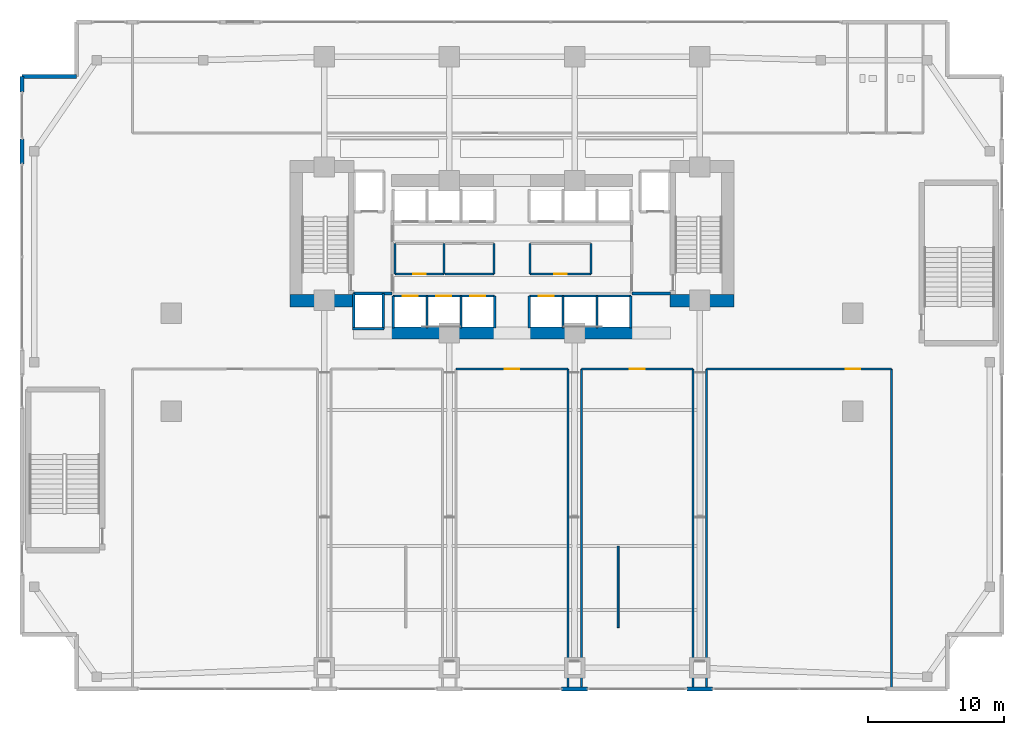
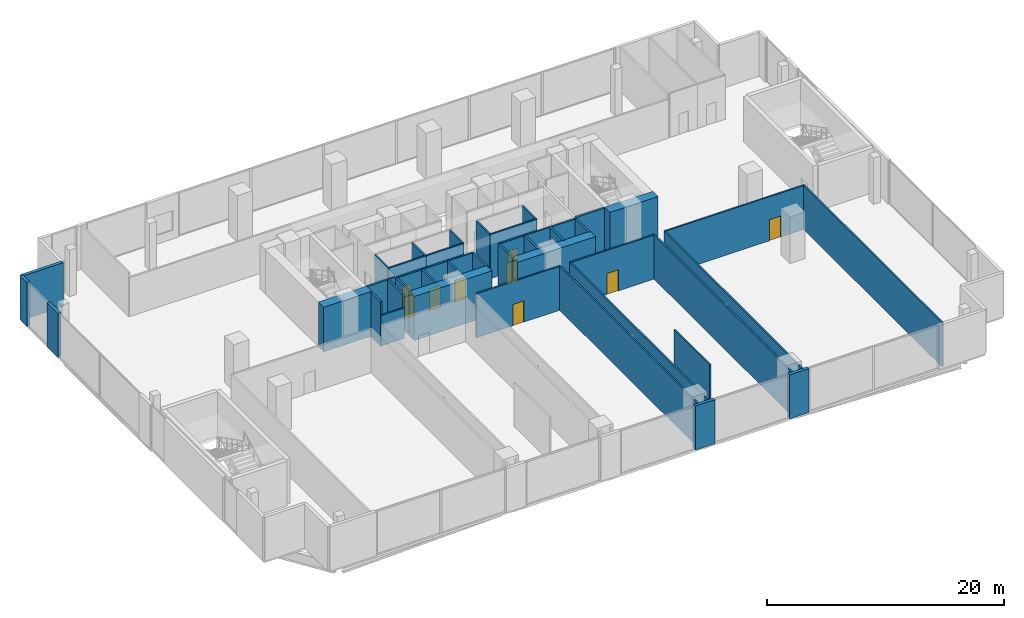
# One storey, part 26 of 33: 45 walls, 9 doors, 9 openings.
"""IFC4 building model written with IfcOpenShell, lengths in metres."""

from ifc_helpers import new_model, si_unit, direction, frame, frame_2d, origin, place, context, subcontext, project, spatial, rectangle, extrude, material, layer, layer_set, type_object, element, fill, save


model = new_model("IFC4")

# Units and contexts
model_context = context("Model", 3, precision=1e-05, world=origin(), true_north=direction((0.0, 1.0)))
body_context = subcontext(model_context, "Body", "Model", "MODEL_VIEW")
ifc_project = project(units=[si_unit("LENGTHUNIT", "METRE"), si_unit("AREAUNIT", "SQUARE_METRE"), si_unit("VOLUMEUNIT", "CUBIC_METRE"), si_unit("PLANEANGLEUNIT", "RADIAN"), si_unit("MASSUNIT", "GRAM", prefix="KILO")], contexts=[model_context])

# Site, building, storey
site_placement = place(None, origin())
site = spatial("IfcSite", under=ifc_project, at=site_placement, CompositionType="ELEMENT")
building_placement = place(site_placement, origin())
building = spatial("IfcBuilding", under=site, at=building_placement, Name="Zuhayl Quay Hotel", CompositionType="ELEMENT")
storey_placement = place(building_placement, frame((0.0, 0.0, 18.0)))
storey = spatial("IfcBuildingStorey", under=building, at=storey_placement, Name="L03", CompositionType="ELEMENT", Elevation=18.0)

# Walls
ifc_material_1 = material(Name="Concrete C70/85", Category="concrete")
ifc_layer_1 = layer(ifc_material_1, 0.89990234375, Name="Concrete C70/85", Category="concrete")
ifc_layer_set_1 = layer_set([ifc_layer_1], Name="Concrete C70/85")
wall_type_1 = type_object("IfcWallType", Name="WL_CORE_900", PredefinedType="SHEAR", material=ifc_layer_set_1)
for number, where, z_axis, x_axis, name in (
    (1, (-16.31005859375, 4.52001953125, 0.0), (0.0, 0.0, 1.0), (1.0, 0.0, 0.0), "L03 Core Shear Wall CW_SW"),
    (2, (11.60009765625, 4.52001953125, 0.0), (0.0, 0.0, 1.0), (1.0, 0.0, 0.0), "L03 Core Shear Wall CW_SE"),
):
    element("IfcWall", number, at=place(storey_placement, frame(where, z_axis=z_axis, x_axis=x_axis)), inside=storey, type_object=wall_type_1, Name=name, PredefinedType="SHEAR", context=body_context, shape_type="SweptSolid", body=[
        extrude(rectangle(XDim=4.7099609375, YDim=0.89990234375, at=frame_2d((2.35498046875, 0.0))), origin(), (0.0, 0.0, 1.0), 4.610107421875),
    ])
for number, where, z_axis, x_axis, name in (
    (3, (-8.85009765625, 2.14990234375, 0.0), (0.0, 0.0, 1.0), (1.0, 0.0, 0.0), "L03 Core Shear Wall CW_SC_W"),
    (4, (1.25, 2.14990234375, 0.0), (0.0, 0.0, 1.0), (1.0, 0.0, 0.0), "L03 Core Shear Wall CW_SC_E"),
):
    element("IfcWall", number, at=place(storey_placement, frame(where, z_axis=z_axis, x_axis=x_axis)), inside=storey, type_object=wall_type_1, Name=name, PredefinedType="SHEAR", context=body_context, shape_type="SweptSolid", body=[
        extrude(rectangle(XDim=7.60009765625, YDim=0.89990234375, at=frame_2d((3.800048828125, 0.0))), origin(), (0.0, 0.0, 1.0), 4.5400390625),
    ])
ifc_material_2 = material(Name="Precast concrete C45/55", Category="concrete")
ifc_layer_2 = layer(ifc_material_2, 0.300048828125, Name="Precast concrete C45/55", Category="concrete")
ifc_layer_set_2 = layer_set([ifc_layer_2], Name="Precast concrete C45/55")
wall_type_2 = type_object("IfcWallType", Name="WL_EXT_300", PredefinedType="STANDARD", material=ifc_layer_set_2)
wall_1_placement = place(storey_placement, frame((-36.0, 14.580078125, 0.0), z_axis=(0.0, 0.0, 1.0), x_axis=(0.0, 1.0, 0.0)))
element("IfcWall", 5, at=wall_1_placement, inside=storey, type_object=wall_type_2, Name="L03 Exterior Precast Wall ENV_L03_E02_EW4", PredefinedType="STANDARD", context=body_context, shape_type="SweptSolid", body=[
    extrude(rectangle(XDim=1.83984375, YDim=0.300048828125, at=frame_2d((0.919921875, 0.0))), origin(), (0.0, 0.0, 1.0), 4.5400390625),
])
wall_2_placement = place(storey_placement, frame((-36.0, 19.85009765625, 0.0), z_axis=(0.0, 0.0, 1.0), x_axis=(0.0, 1.0, 0.0)))
element("IfcWall", 6, at=wall_2_placement, inside=storey, type_object=wall_type_2, Name="L03 Exterior Precast Wall ENV_L03_E02_EW5", PredefinedType="STANDARD", context=body_context, shape_type="SweptSolid", body=[
    extrude(rectangle(XDim=1.14990234375, YDim=0.300048828125, at=frame_2d((0.574951171875, 0.0))), origin(), (0.0, 0.0, 1.0), 4.5400390625),
])
wall_3_placement = place(storey_placement, frame((-36.0, 21.0, 0.0), z_axis=(0.0, 0.0, 1.0), x_axis=(1.0, 0.0, 0.0)))
element("IfcWall", 7, at=wall_3_placement, inside=storey, type_object=wall_type_2, Name="L03 Exterior Precast Wall ENV_L03_EW03", PredefinedType="STANDARD", context=body_context, shape_type="SweptSolid", body=[
    extrude(rectangle(XDim=4.0, YDim=0.300048828125, at=frame_2d((2.0, 0.0))), origin(), (0.0, 0.0, 1.0), 4.5400390625),
])
wall_4_placement = place(storey_placement, frame((14.75, -24.0, 0.0), z_axis=(0.0, 0.0, 1.0), x_axis=(-1.0, 0.0, 0.0)))
element("IfcWall", 8, at=wall_4_placement, inside=storey, type_object=wall_type_2, Name="L03 Exterior Precast Wall ENV_L03_E11_EW2", PredefinedType="STANDARD", context=body_context, shape_type="SweptSolid", body=[
    extrude(rectangle(XDim=1.89990234375, YDim=0.300048828125, at=frame_2d((0.949951171875, 0.0))), origin(), (0.0, 0.0, 1.0), 4.5400390625),
])
wall_5_placement = place(storey_placement, frame((5.550048828125, -24.0, 0.0), z_axis=(0.0, 0.0, 1.0), x_axis=(-1.0, 0.0, 0.0)))
element("IfcWall", 9, at=wall_5_placement, inside=storey, type_object=wall_type_2, Name="L03 Exterior Precast Wall ENV_L03_E11_EW3", PredefinedType="STANDARD", context=body_context, shape_type="SweptSolid", body=[
    extrude(rectangle(XDim=1.900146484375, YDim=0.300048828125, at=frame_2d((0.9501953125, 0.0))), origin(), (0.0, 0.0, 1.0), 4.5400390625),
])
ifc_material_3 = material(Name="Acoustic Timber Operable Panel STC-54", Category="wood")
ifc_layer_3 = layer(ifc_material_3, 0.139892578125, Name="Acoustic Timber Operable Panel STC-54", Category="wood")
ifc_layer_set_3 = layer_set([ifc_layer_3], Name="Acoustic Timber Operable Panel STC-54")
wall_type_3 = type_object("IfcWallType", Name="WL_MOVABLE_140", PredefinedType="MOVABLE", material=ifc_layer_set_3)
wall_6_placement = place(storey_placement, frame((7.800048828125, -19.5, 0.0), z_axis=(0.0, 0.0, 1.0), x_axis=(0.0, 1.0, 0.0)))
element("IfcWall", 10, at=wall_6_placement, inside=storey, type_object=wall_type_3, Name="L03 Operable Acoustic Banquet Partition MW1-2", PredefinedType="MOVABLE", context=body_context, shape_type="SweptSolid", body=[
    extrude(rectangle(XDim=6.0, YDim=0.139892578125, at=frame_2d((3.0, 0.0))), origin(), (0.0, 0.0, 1.0), 4.5400390625),
])

# Wall, opening, door
ifc_material_4 = material(Name="Acoustic Gypsum Partition STC-58")
ifc_layer_4 = layer(ifc_material_4, 0.14990234375, Name="Acoustic Gypsum Partition STC-58")
ifc_layer_set_4 = layer_set([ifc_layer_4], Name="Acoustic Gypsum Partition STC-58")
wall_type_4 = type_object("IfcWallType", Name="WL_PART_150", PredefinedType="PARTITIONING", material=ifc_layer_set_4)
wall_7_placement = place(storey_placement, frame((-8.610107421875, 6.47998046875, 0.0), z_axis=(0.0, 0.0, 1.0), x_axis=(1.0, 0.0, 0.0)))
wall_7 = element("IfcWall", 11, at=wall_7_placement, inside=storey, type_object=wall_type_4, Name="L03 Partition IW_L03_CORE_SW_S", PredefinedType="PARTITIONING", context=body_context, shape_type="SweptSolid", body=[
    extrude(rectangle(XDim=3.6201171875, YDim=0.14990234375, at=frame_2d((1.81005859375, 0.0))), origin(), (0.0, 0.0, 1.0), 4.5400390625),
])
opening_1_placement = place(wall_7_placement, frame((1.360107421875, 0.0, 0.0)))
opening_1 = element("IfcOpeningElement", 12, at=opening_1_placement, cuts=wall_7, Name="Opening D06", PredefinedType="OPENING", context=body_context, shape_type="SweptSolid", body=[
    extrude(rectangle(XDim=0.89990234375, YDim=2.14990234375, at=frame_2d((0.449951171875, 1.074951171875))), frame((0.0, 0.0849609375, 0.0), z_axis=(0.0, -1.0, 0.0), x_axis=(1.0, 0.0, 0.0)), (0.0, 0.0, 1.0), 0.169921875),
])
ifc_material_5 = material(Name="Steel ASTM A992 Grade 50", Category="steel")
door_type_1 = type_object("IfcDoorType", Name="DR_INT_900", OperationType="NOTDEFINED", PredefinedType="DOOR", material=ifc_material_5)
door_1_placement = place(opening_1_placement, origin())
door_1 = element("IfcDoor", 13, at=door_1_placement, inside=storey, type_object=door_type_1, Name="L03 Floor Switchgear Closet Door", OperationType="SINGLE_SWING_RIGHT", OverallHeight=2.14990234375, OverallWidth=0.89990234375, PredefinedType="DOOR", context=body_context, shape_type="SweptSolid", body=[
    extrude(rectangle(XDim=0.89990234375, YDim=2.14990234375, at=frame_2d((0.449951171875, 1.074951171875))), frame((0.0, 0.02490234375, 0.0), z_axis=(0.0, -1.0, 0.0), x_axis=(1.0, 0.0, 0.0)), (0.0, 0.0, 1.0), 0.050048828125),
])
fill(opening_1, door_1)

wall_8_placement = place(storey_placement, frame((1.320068359375, 6.47998046875, 0.0), z_axis=(0.0, 0.0, 1.0), x_axis=(1.0, 0.0, 0.0)))
wall_8 = element("IfcWall", 14, at=wall_8_placement, inside=storey, type_object=wall_type_4, Name="L03 Partition IW_L03_CORE_PN_S", PredefinedType="PARTITIONING", context=body_context, shape_type="SweptSolid", body=[
    extrude(rectangle(XDim=4.489990234375, YDim=0.14990234375, at=frame_2d((2.2451171875, 0.0))), origin(), (0.0, 0.0, 1.0), 4.5400390625),
])
opening_2_placement = place(wall_8_placement, frame((1.794921875, 0.0, 0.0)))
opening_2 = element("IfcOpeningElement", 15, at=opening_2_placement, cuts=wall_8, Name="Opening D06", PredefinedType="OPENING", context=body_context, shape_type="SweptSolid", body=[
    extrude(rectangle(XDim=0.89990234375, YDim=2.14990234375, at=frame_2d((0.449951171875, 1.074951171875))), frame((0.0, 0.0849609375, 0.0), z_axis=(0.0, -1.0, 0.0), x_axis=(1.0, 0.0, 0.0)), (0.0, 0.0, 1.0), 0.169921875),
])
door_2_placement = place(opening_2_placement, origin())
door_2 = element("IfcDoor", 16, at=door_2_placement, inside=storey, type_object=door_type_1, Name="L03 Core Ice and Pantry Room Door", OperationType="SINGLE_SWING_RIGHT", OverallHeight=2.14990234375, OverallWidth=0.89990234375, PredefinedType="DOOR", context=body_context, shape_type="SweptSolid", body=[
    extrude(rectangle(XDim=0.89990234375, YDim=2.14990234375, at=frame_2d((0.449951171875, 1.074951171875))), frame((0.0, 0.02490234375, 0.0), z_axis=(0.0, -1.0, 0.0), x_axis=(1.0, 0.0, 0.0)), (0.0, 0.0, 1.0), 0.050048828125),
])
fill(opening_2, door_2)

# Walls
for number, where, z_axis, x_axis, name in (
    (17, (-8.610107421875, 6.47998046875, 0.0), (0.0, 0.0, 1.0), (0.0, 1.0, 0.0), "L03 Partition IW_L03_CORE_SW_W"),
    (18, (-4.989990234375, 6.47998046875, 0.0), (0.0, 0.0, 1.0), (0.0, 1.0, 0.0), "L03 Partition IW_L03_CORE_SW_E"),
):
    element("IfcWall", number, at=place(storey_placement, frame(where, z_axis=z_axis, x_axis=x_axis)), inside=storey, type_object=wall_type_4, Name=name, PredefinedType="PARTITIONING", context=body_context, shape_type="SweptSolid", body=[
        extrude(rectangle(XDim=2.239990234375, YDim=0.14990234375, at=frame_2d((1.1201171875, 0.0))), origin(), (0.0, 0.0, 1.0), 4.5400390625),
    ])
wall_9_placement = place(storey_placement, frame((-4.929931640625, 6.47998046875, 0.0), z_axis=(0.0, 0.0, 1.0), x_axis=(1.0, 0.0, 0.0)))
element("IfcWall", 19, at=wall_9_placement, inside=storey, type_object=wall_type_4, Name="L03 Partition IW_L03_CORE_BM_S", PredefinedType="PARTITIONING", context=body_context, shape_type="SweptSolid", body=[
    extrude(rectangle(XDim=3.60986328125, YDim=0.14990234375, at=frame_2d((1.804931640625, 0.0))), origin(), (0.0, 0.0, 1.0), 4.5400390625),
])
for number, where, z_axis, x_axis, name in (
    (20, (-1.320068359375, 6.47998046875, 0.0), (0.0, 0.0, 1.0), (0.0, 1.0, 0.0), "L03 Partition IW_L03_CORE_BM_E"),
    (21, (1.320068359375, 6.47998046875, 0.0), (0.0, 0.0, 1.0), (0.0, 1.0, 0.0), "L03 Partition IW_L03_CORE_PN_W"),
    (22, (5.81005859375, 6.47998046875, 0.0), (0.0, 0.0, 1.0), (0.0, 1.0, 0.0), "L03 Partition IW_L03_CORE_PN_E"),
):
    element("IfcWall", number, at=place(storey_placement, frame(where, z_axis=z_axis, x_axis=x_axis)), inside=storey, type_object=wall_type_4, Name=name, PredefinedType="PARTITIONING", context=body_context, shape_type="SweptSolid", body=[
        extrude(rectangle(XDim=2.239990234375, YDim=0.14990234375, at=frame_2d((1.1201171875, 0.0))), origin(), (0.0, 0.0, 1.0), 4.5400390625),
    ])
for number, where, z_axis, x_axis, name in (
    (23, (4.10009765625, -23.93994140625, 0.0), (0.0, 0.0, 1.0), (0.0, 1.0, 0.0), "L03 Partition IW_L03_BOARD_1_E"),
    (24, (5.10009765625, -23.93994140625, 0.0), (0.0, 0.0, 1.0), (0.0, 1.0, 0.0), "L03 Partition IW_L03_BOARD_2_W"),
    (25, (13.300048828125, -23.93994140625, 0.0), (0.0, 0.0, 1.0), (0.0, 1.0, 0.0), "L03 Partition IW_L03_BOARD_2_E"),
    (26, (14.300048828125, -23.93994140625, 0.0), (0.0, 0.0, 1.0), (0.0, 1.0, 0.0), "L03 Partition IW_L03_BUS_CTR_W"),
    (27, (27.89990234375, -23.93994140625, 0.0), (0.0, 0.0, 1.0), (0.0, 1.0, 0.0), "L03 Partition IW_L03_BUS_CTR_E"),
):
    element("IfcWall", number, at=place(storey_placement, frame(where, z_axis=z_axis, x_axis=x_axis)), inside=storey, type_object=wall_type_4, Name=name, PredefinedType="PARTITIONING", context=body_context, shape_type="SweptSolid", body=[
        extrude(rectangle(XDim=23.43994140625, YDim=0.14990234375, at=frame_2d((11.719970703125, 0.0))), origin(), (0.0, 0.0, 1.0), 4.5400390625),
    ])

# Wall, opening, door
ifc_layer_5 = layer(ifc_material_4, 0.159912109375, Name="Acoustic Gypsum Partition STC-58")
ifc_layer_set_5 = layer_set([ifc_layer_5], Name="Acoustic Gypsum Partition STC-58")
wall_type_5 = type_object("IfcWallType", Name="WL_PART_CORR_160", PredefinedType="PARTITIONING", material=ifc_layer_set_5)
wall_10_placement = place(storey_placement, frame((-4.10009765625, -0.5, 0.0), z_axis=(0.0, 0.0, 1.0), x_axis=(1.0, 0.0, 0.0)))
wall_10 = element("IfcWall", 28, at=wall_10_placement, inside=storey, type_object=wall_type_5, Name="L03 Partition IW_L03_BOARD_1_N", PredefinedType="PARTITIONING", context=body_context, shape_type="SweptSolid", body=[
    extrude(rectangle(XDim=8.2001953125, YDim=0.159912109375, at=frame_2d((4.10009765625, 0.0))), origin(), (0.0, 0.0, 1.0), 4.5400390625),
])
opening_3_placement = place(wall_10_placement, frame((3.56005859375, 0.0, 0.0)))
opening_3 = element("IfcOpeningElement", 29, at=opening_3_placement, cuts=wall_10, Name="Opening D05A", PredefinedType="OPENING", context=body_context, shape_type="SweptSolid", body=[
    extrude(rectangle(XDim=1.080078125, YDim=2.179931640625, at=frame_2d((0.5400390625, 1.08984375))), frame((0.0, 0.08984375, 0.0), z_axis=(0.0, -1.0, 0.0), x_axis=(1.0, 0.0, 0.0)), (0.0, 0.0, 1.0), 0.179931640625),
])
ifc_material_6 = material(Name="Solid Walnut Acoustic Fire Door")
door_type_2 = type_object("IfcDoorType", Name="DR_INT_1100", OperationType="NOTDEFINED", PredefinedType="DOOR", material=ifc_material_6)
door_3_placement = place(opening_3_placement, origin())
door_3 = element("IfcDoor", 30, at=door_3_placement, inside=storey, type_object=door_type_2, Name="L03 Executive Conference Room Door", OperationType="SINGLE_SWING_LEFT", OverallHeight=2.179931640625, OverallWidth=1.080078125, PredefinedType="DOOR", context=body_context, shape_type="SweptSolid", body=[
    extrude(rectangle(XDim=1.080078125, YDim=2.179931640625, at=frame_2d((0.5400390625, 1.08984375))), frame((0.0, 0.02490234375, 0.0), z_axis=(0.0, -1.0, 0.0), x_axis=(1.0, 0.0, 0.0)), (0.0, 0.0, 1.0), 0.050048828125),
])
fill(opening_3, door_3)

wall_11_placement = place(storey_placement, frame((5.10009765625, -0.5, 0.0), z_axis=(0.0, 0.0, 1.0), x_axis=(1.0, 0.0, 0.0)))
wall_11 = element("IfcWall", 31, at=wall_11_placement, inside=storey, type_object=wall_type_5, Name="L03 Partition IW_L03_BOARD_2_N", PredefinedType="PARTITIONING", context=body_context, shape_type="SweptSolid", body=[
    extrude(rectangle(XDim=8.199951171875, YDim=0.159912109375, at=frame_2d((4.10009765625, 0.0))), origin(), (0.0, 0.0, 1.0), 4.5400390625),
])
opening_4_placement = place(wall_11_placement, frame((3.56005859375, 0.0, 0.0)))
opening_4 = element("IfcOpeningElement", 32, at=opening_4_placement, cuts=wall_11, Name="Opening D05A", PredefinedType="OPENING", context=body_context, shape_type="SweptSolid", body=[
    extrude(rectangle(XDim=1.080078125, YDim=2.179931640625, at=frame_2d((0.5400390625, 1.08984375))), frame((0.0, 0.08984375, 0.0), z_axis=(0.0, -1.0, 0.0), x_axis=(1.0, 0.0, 0.0)), (0.0, 0.0, 1.0), 0.179931640625),
])
door_4_placement = place(opening_4_placement, origin())
door_4 = element("IfcDoor", 33, at=door_4_placement, inside=storey, type_object=door_type_2, Name="L03 Maritime Trade Meeting Room Door", OperationType="SINGLE_SWING_RIGHT", OverallHeight=2.179931640625, OverallWidth=1.080078125, PredefinedType="DOOR", context=body_context, shape_type="SweptSolid", body=[
    extrude(rectangle(XDim=1.080078125, YDim=2.179931640625, at=frame_2d((0.5400390625, 1.08984375))), frame((0.0, 0.02490234375, 0.0), z_axis=(0.0, -1.0, 0.0), x_axis=(1.0, 0.0, 0.0)), (0.0, 0.0, 1.0), 0.050048828125),
])
fill(opening_4, door_4)

wall_12_placement = place(storey_placement, frame((14.300048828125, -0.5, 0.0), z_axis=(0.0, 0.0, 1.0), x_axis=(1.0, 0.0, 0.0)))
wall_12 = element("IfcWall", 34, at=wall_12_placement, inside=storey, type_object=wall_type_5, Name="L03 Partition IW_L03_BUS_CTR_N", PredefinedType="PARTITIONING", context=body_context, shape_type="SweptSolid", body=[
    extrude(rectangle(XDim=13.599853515625, YDim=0.159912109375, at=frame_2d((6.7998046875, 0.0))), origin(), (0.0, 0.0, 1.0), 4.5400390625),
])
opening_5_placement = place(wall_12_placement, frame((10.2099609375, 0.0, 0.0)))
opening_5 = element("IfcOpeningElement", 35, at=opening_5_placement, cuts=wall_12, Name="Opening D05A", PredefinedType="OPENING", context=body_context, shape_type="SweptSolid", body=[
    extrude(rectangle(XDim=1.080078125, YDim=2.179931640625, at=frame_2d((0.5400390625, 1.08984375))), frame((0.0, 0.08984375, 0.0), z_axis=(0.0, -1.0, 0.0), x_axis=(1.0, 0.0, 0.0)), (0.0, 0.0, 1.0), 0.179931640625),
])
door_5_placement = place(opening_5_placement, origin())
door_5 = element("IfcDoor", 36, at=door_5_placement, inside=storey, type_object=door_type_2, Name="L03 Executive Business Centre Door", OperationType="SINGLE_SWING_LEFT", OverallHeight=2.179931640625, OverallWidth=1.080078125, PredefinedType="DOOR", context=body_context, shape_type="SweptSolid", body=[
    extrude(rectangle(XDim=1.080078125, YDim=2.179931640625, at=frame_2d((0.5400390625, 1.08984375))), frame((0.0, 0.02490234375, 0.0), z_axis=(0.0, -1.0, 0.0), x_axis=(1.0, 0.0, 0.0)), (0.0, 0.0, 1.0), 0.050048828125),
])
fill(opening_5, door_5)

ifc_material_7 = material(Name="Gypsum Fireboard Assembly EI-90")
ifc_layer_6 = layer(ifc_material_7, 0.1650390625, Name="Gypsum Fireboard Assembly EI-90")
ifc_layer_set_6 = layer_set([ifc_layer_6], Name="Gypsum Fireboard Assembly EI-90")
wall_type_6 = type_object("IfcWallType", Name="WL_PART_SHAFT_160", PredefinedType="PARTITIONING", material=ifc_layer_set_6)
wall_13_placement = place(storey_placement, frame((-8.72998046875, 4.8798828125, 0.0), z_axis=(0.0, 0.0, 1.0), x_axis=(1.0, 0.0, 0.0)))
wall_13 = element("IfcWall", 37, at=wall_13_placement, inside=storey, type_object=wall_type_6, Name="L03 Partition IW_L03_SH_LP1_F", PredefinedType="PARTITIONING", context=body_context, shape_type="SweptSolid", body=[
    extrude(rectangle(XDim=2.47998046875, YDim=0.1650390625, at=frame_2d((1.239990234375, 0.0))), origin(), (0.0, 0.0, 1.0), 4.5400390625),
])
opening_6_placement = place(wall_13_placement, frame((0.68994140625, 0.0, 0.0)))
opening_6 = element("IfcOpeningElement", 38, at=opening_6_placement, cuts=wall_13, Name="Opening LD1", PredefinedType="OPENING", context=body_context, shape_type="SweptSolid", body=[
    extrude(rectangle(XDim=1.10009765625, YDim=2.25, at=frame_2d((0.550048828125, 1.125))), frame((0.0, 0.092529296875, 0.0), z_axis=(0.0, -1.0, 0.0), x_axis=(1.0, 0.0, 0.0)), (0.0, 0.0, 1.0), 0.18505859375),
])
ifc_material_8 = material(Name="Brushed Stainless Steel", Category="steel")
door_type_3 = type_object("IfcDoorType", Name="DR_LIFT_PASS_1100", OperationType="SLIDING_TO_LEFT", PredefinedType="DOOR", material=ifc_material_8)
door_6_placement = place(opening_6_placement, origin())
door_6 = element("IfcDoor", 39, at=door_6_placement, inside=storey, type_object=door_type_3, Name="L03 Lift LP1 Sliding Landing Door", OperationType="SLIDING_TO_LEFT", OverallHeight=2.25, OverallWidth=1.10009765625, PredefinedType="DOOR", context=body_context, shape_type="SweptSolid", body=[
    extrude(rectangle(XDim=1.10009765625, YDim=2.25, at=frame_2d((0.550048828125, 1.125))), frame((0.0, 0.02490234375, 0.0), z_axis=(0.0, -1.0, 0.0), x_axis=(1.0, 0.0, 0.0)), (0.0, 0.0, 1.0), 0.050048828125),
])
fill(opening_6, door_6)

wall_14_placement = place(storey_placement, frame((-6.25, 4.8798828125, 0.0), z_axis=(0.0, 0.0, 1.0), x_axis=(1.0, 0.0, 0.0)))
wall_14 = element("IfcWall", 40, at=wall_14_placement, inside=storey, type_object=wall_type_6, Name="L03 Partition IW_L03_SH_LP2_F", PredefinedType="PARTITIONING", context=body_context, shape_type="SweptSolid", body=[
    extrude(rectangle(XDim=2.5, YDim=0.1650390625, at=frame_2d((1.25, 0.0))), origin(), (0.0, 0.0, 1.0), 4.5400390625),
])
opening_7_placement = place(wall_14_placement, frame((0.699951171875, 0.0, 0.0)))
opening_7 = element("IfcOpeningElement", 41, at=opening_7_placement, cuts=wall_14, Name="Opening LD1", PredefinedType="OPENING", context=body_context, shape_type="SweptSolid", body=[
    extrude(rectangle(XDim=1.10009765625, YDim=2.25, at=frame_2d((0.550048828125, 1.125))), frame((0.0, 0.092529296875, 0.0), z_axis=(0.0, -1.0, 0.0), x_axis=(1.0, 0.0, 0.0)), (0.0, 0.0, 1.0), 0.18505859375),
])
door_7_placement = place(opening_7_placement, origin())
door_7 = element("IfcDoor", 42, at=door_7_placement, inside=storey, type_object=door_type_3, Name="L03 Lift LP2 Sliding Landing Door", OperationType="SLIDING_TO_LEFT", OverallHeight=2.25, OverallWidth=1.10009765625, PredefinedType="DOOR", context=body_context, shape_type="SweptSolid", body=[
    extrude(rectangle(XDim=1.10009765625, YDim=2.25, at=frame_2d((0.550048828125, 1.125))), frame((0.0, 0.02490234375, 0.0), z_axis=(0.0, -1.0, 0.0), x_axis=(1.0, 0.0, 0.0)), (0.0, 0.0, 1.0), 0.050048828125),
])
fill(opening_7, door_7)

wall_15_placement = place(storey_placement, frame((-3.75, 4.8798828125, 0.0), z_axis=(0.0, 0.0, 1.0), x_axis=(1.0, 0.0, 0.0)))
wall_15 = element("IfcWall", 43, at=wall_15_placement, inside=storey, type_object=wall_type_6, Name="L03 Partition IW_L03_SH_MP1_F", PredefinedType="PARTITIONING", context=body_context, shape_type="SweptSolid", body=[
    extrude(rectangle(XDim=2.47998046875, YDim=0.1650390625, at=frame_2d((1.239990234375, 0.0))), origin(), (0.0, 0.0, 1.0), 4.5400390625),
])
opening_8_placement = place(wall_15_placement, frame((0.68994140625, 0.0, 0.0)))
opening_8 = element("IfcOpeningElement", 44, at=opening_8_placement, cuts=wall_15, Name="Opening LD1", PredefinedType="OPENING", context=body_context, shape_type="SweptSolid", body=[
    extrude(rectangle(XDim=1.10009765625, YDim=2.25, at=frame_2d((0.550048828125, 1.125))), frame((0.0, 0.092529296875, 0.0), z_axis=(0.0, -1.0, 0.0), x_axis=(1.0, 0.0, 0.0)), (0.0, 0.0, 1.0), 0.18505859375),
])
door_8_placement = place(opening_8_placement, origin())
door_8 = element("IfcDoor", 45, at=door_8_placement, inside=storey, type_object=door_type_3, Name="L03 Lift MP1 Sliding Landing Door", OperationType="SLIDING_TO_LEFT", OverallHeight=2.25, OverallWidth=1.10009765625, PredefinedType="DOOR", context=body_context, shape_type="SweptSolid", body=[
    extrude(rectangle(XDim=1.10009765625, YDim=2.25, at=frame_2d((0.550048828125, 1.125))), frame((0.0, 0.02490234375, 0.0), z_axis=(0.0, -1.0, 0.0), x_axis=(1.0, 0.0, 0.0)), (0.0, 0.0, 1.0), 0.050048828125),
])
fill(opening_8, door_8)

wall_16_placement = place(storey_placement, frame((1.27001953125, 4.8798828125, 0.0), z_axis=(0.0, 0.0, 1.0), x_axis=(1.0, 0.0, 0.0)))
wall_16 = element("IfcWall", 46, at=wall_16_placement, inside=storey, type_object=wall_type_6, Name="L03 Partition IW_L03_SH_MP2_F", PredefinedType="PARTITIONING", context=body_context, shape_type="SweptSolid", body=[
    extrude(rectangle(XDim=2.47998046875, YDim=0.1650390625, at=frame_2d((1.239990234375, 0.0))), origin(), (0.0, 0.0, 1.0), 4.5400390625),
])
opening_9_placement = place(wall_16_placement, frame((0.68994140625, 0.0, 0.0)))
opening_9 = element("IfcOpeningElement", 47, at=opening_9_placement, cuts=wall_16, Name="Opening LD1", PredefinedType="OPENING", context=body_context, shape_type="SweptSolid", body=[
    extrude(rectangle(XDim=1.10009765625, YDim=2.25, at=frame_2d((0.550048828125, 1.125))), frame((0.0, 0.092529296875, 0.0), z_axis=(0.0, -1.0, 0.0), x_axis=(1.0, 0.0, 0.0)), (0.0, 0.0, 1.0), 0.18505859375),
])
door_9_placement = place(opening_9_placement, origin())
door_9 = element("IfcDoor", 48, at=door_9_placement, inside=storey, type_object=door_type_3, Name="L03 Lift MP2 Sliding Landing Door", OperationType="SLIDING_TO_LEFT", OverallHeight=2.25, OverallWidth=1.10009765625, PredefinedType="DOOR", context=body_context, shape_type="SweptSolid", body=[
    extrude(rectangle(XDim=1.10009765625, YDim=2.25, at=frame_2d((0.550048828125, 1.125))), frame((0.0, 0.02490234375, 0.0), z_axis=(0.0, -1.0, 0.0), x_axis=(1.0, 0.0, 0.0)), (0.0, 0.0, 1.0), 0.050048828125),
])
fill(opening_9, door_9)

# Walls
for number, where, z_axis, x_axis, name in (
    (49, (-8.72998046875, 2.52001953125, 0.0), (0.0, 0.0, 1.0), (0.0, 1.0, 0.0), "L03 Partition IW_L03_SH_LP1_W"),
    (50, (-6.25, 2.52001953125, 0.0), (0.0, 0.0, 1.0), (0.0, 1.0, 0.0), "L03 Partition IW_L03_SH_LP1_E"),
    (51, (-3.75, 2.52001953125, 0.0), (0.0, 0.0, 1.0), (0.0, 1.0, 0.0), "L03 Partition IW_L03_SH_LP2_E"),
    (52, (-1.27001953125, 2.52001953125, 0.0), (0.0, 0.0, 1.0), (0.0, 1.0, 0.0), "L03 Partition IW_L03_SH_MP1_E"),
    (53, (1.27001953125, 2.52001953125, 0.0), (0.0, 0.0, 1.0), (0.0, 1.0, 0.0), "L03 Partition IW_L03_SH_MP2_W"),
    (54, (3.75, 2.52001953125, 0.0), (0.0, 0.0, 1.0), (0.0, 1.0, 0.0), "L03 Partition IW_L03_SH_MP2_E"),
):
    element("IfcWall", number, at=place(storey_placement, frame(where, z_axis=z_axis, x_axis=x_axis)), inside=storey, type_object=wall_type_6, Name=name, PredefinedType="PARTITIONING", context=body_context, shape_type="SweptSolid", body=[
        extrude(rectangle(XDim=2.35986328125, YDim=0.1650390625, at=frame_2d((1.179931640625, 0.0))), origin(), (0.0, 0.0, 1.0), 4.5400390625),
    ])
wall_17_placement = place(storey_placement, frame((3.75, 4.8798828125, 0.0), z_axis=(0.0, 0.0, 1.0), x_axis=(1.0, 0.0, 0.0)))
element("IfcWall", 55, at=wall_17_placement, inside=storey, type_object=wall_type_6, Name="L03 Partition IW_L03_SH_HP1_F", PredefinedType="PARTITIONING", context=body_context, shape_type="SweptSolid", body=[
    extrude(rectangle(XDim=2.5, YDim=0.1650390625, at=frame_2d((1.25, 0.0))), origin(), (0.0, 0.0, 1.0), 4.5400390625),
])
wall_18_placement = place(storey_placement, frame((6.25, 2.52001953125, 0.0), z_axis=(0.0, 0.0, 1.0), x_axis=(0.0, 1.0, 0.0)))
element("IfcWall", 56, at=wall_18_placement, inside=storey, type_object=wall_type_6, Name="L03 Partition IW_L03_SH_HP1_E", PredefinedType="PARTITIONING", context=body_context, shape_type="SweptSolid", body=[
    extrude(rectangle(XDim=2.35986328125, YDim=0.1650390625, at=frame_2d((1.179931640625, 0.0))), origin(), (0.0, 0.0, 1.0), 4.5400390625),
])
wall_19_placement = place(storey_placement, frame((6.25, 4.8798828125, 0.0), z_axis=(0.0, 0.0, 1.0), x_axis=(1.0, 0.0, 0.0)))
element("IfcWall", 57, at=wall_19_placement, inside=storey, type_object=wall_type_6, Name="L03 Partition IW_L03_SH_HP2_F", PredefinedType="PARTITIONING", context=body_context, shape_type="SweptSolid", body=[
    extrude(rectangle(XDim=2.47998046875, YDim=0.1650390625, at=frame_2d((1.239990234375, 0.0))), origin(), (0.0, 0.0, 1.0), 4.5400390625),
])
wall_20_placement = place(storey_placement, frame((8.72998046875, 2.52001953125, 0.0), z_axis=(0.0, 0.0, 1.0), x_axis=(0.0, 1.0, 0.0)))
element("IfcWall", 58, at=wall_20_placement, inside=storey, type_object=wall_type_6, Name="L03 Partition IW_L03_SH_HP2_E", PredefinedType="PARTITIONING", context=body_context, shape_type="SweptSolid", body=[
    extrude(rectangle(XDim=2.35986328125, YDim=0.1650390625, at=frame_2d((1.179931640625, 0.0))), origin(), (0.0, 0.0, 1.0), 4.5400390625),
])
wall_21_placement = place(storey_placement, frame((-11.6298828125, 2.469970703125, 0.0), z_axis=(0.0, 0.0, 1.0), x_axis=(0.0, 1.0, 0.0)))
element("IfcWall", 59, at=wall_21_placement, inside=storey, type_object=wall_type_6, Name="L03 Partition IW_L03_RISER_W", PredefinedType="PARTITIONING", context=body_context, shape_type="SweptSolid", body=[
    extrude(rectangle(XDim=2.580078125, YDim=0.1650390625, at=frame_2d((1.2900390625, 0.0))), origin(), (0.0, 0.0, 1.0), 4.5400390625),
])
wall_22_placement = place(storey_placement, frame((-11.7099609375, 2.469970703125, 0.0), z_axis=(0.0, 0.0, 1.0), x_axis=(1.0, 0.0, 0.0)))
element("IfcWall", 60, at=wall_22_placement, inside=storey, type_object=wall_type_6, Name="L03 Partition IW_L03_RISER_S", PredefinedType="PARTITIONING", context=body_context, shape_type="SweptSolid", body=[
    extrude(rectangle(XDim=2.31005859375, YDim=0.1650390625, at=frame_2d((1.155029296875, 0.0))), origin(), (0.0, 0.0, 1.0), 3.139892578125),
])
ifc_layer_7 = layer(ifc_material_7, 0.179931640625, Name="Gypsum Fireboard Assembly EI-90")
ifc_layer_set_7 = layer_set([ifc_layer_7], Name="Gypsum Fireboard Assembly EI-90")
wall_type_7 = type_object("IfcWallType", Name="WL_PART_SHAFT_180", PredefinedType="PARTITIONING", material=ifc_layer_set_7)
wall_23_placement = place(storey_placement, frame((-9.469970703125, 2.449951171875, 0.0), z_axis=(0.0, 0.0, 1.0), x_axis=(0.0, 1.0, 0.0)))
element("IfcWall", 61, at=wall_23_placement, inside=storey, type_object=wall_type_7, Name="L03 Partition IW_L03_RISER_E", PredefinedType="PARTITIONING", context=body_context, shape_type="SweptSolid", body=[
    extrude(rectangle(XDim=2.60009765625, YDim=0.179931640625, at=frame_2d((1.300048828125, 0.0))), origin(), (0.0, 0.0, 1.0), 4.5400390625),
])
ifc_material_9 = material(Name="Gypsum Fireboard Assembly EI-120")
ifc_layer_8 = layer(ifc_material_9, 0.199951171875, Name="Gypsum Fireboard Assembly EI-120")
ifc_layer_set_8 = layer_set([ifc_layer_8], Name="Gypsum Fireboard Assembly EI-120")
wall_type_8 = type_object("IfcWallType", Name="WL_PART_SHAFT_200", PredefinedType="PARTITIONING", material=ifc_layer_set_8)
for number, where, z_axis, x_axis, name in (
    (62, (-11.64990234375, 5.050048828125, 0.0), (0.0, 0.0, 1.0), (1.0, 0.0, 0.0), "L03 Partition IW_L03_FSAE_W_S"),
    (63, (8.800048828125, 5.050048828125, 0.0), (0.0, 0.0, 1.0), (1.0, 0.0, 0.0), "L03 Partition IW_L03_FSAE_E_S"),
):
    element("IfcWall", number, at=place(storey_placement, frame(where, z_axis=z_axis, x_axis=x_axis)), inside=storey, type_object=wall_type_8, Name=name, PredefinedType="PARTITIONING", context=body_context, shape_type="SweptSolid", body=[
        extrude(rectangle(XDim=2.849853515625, YDim=0.199951171875, at=frame_2d((1.4248046875, 0.0))), origin(), (0.0, 0.0, 1.0), 4.5400390625),
    ])

save(model, "model.ifc")
